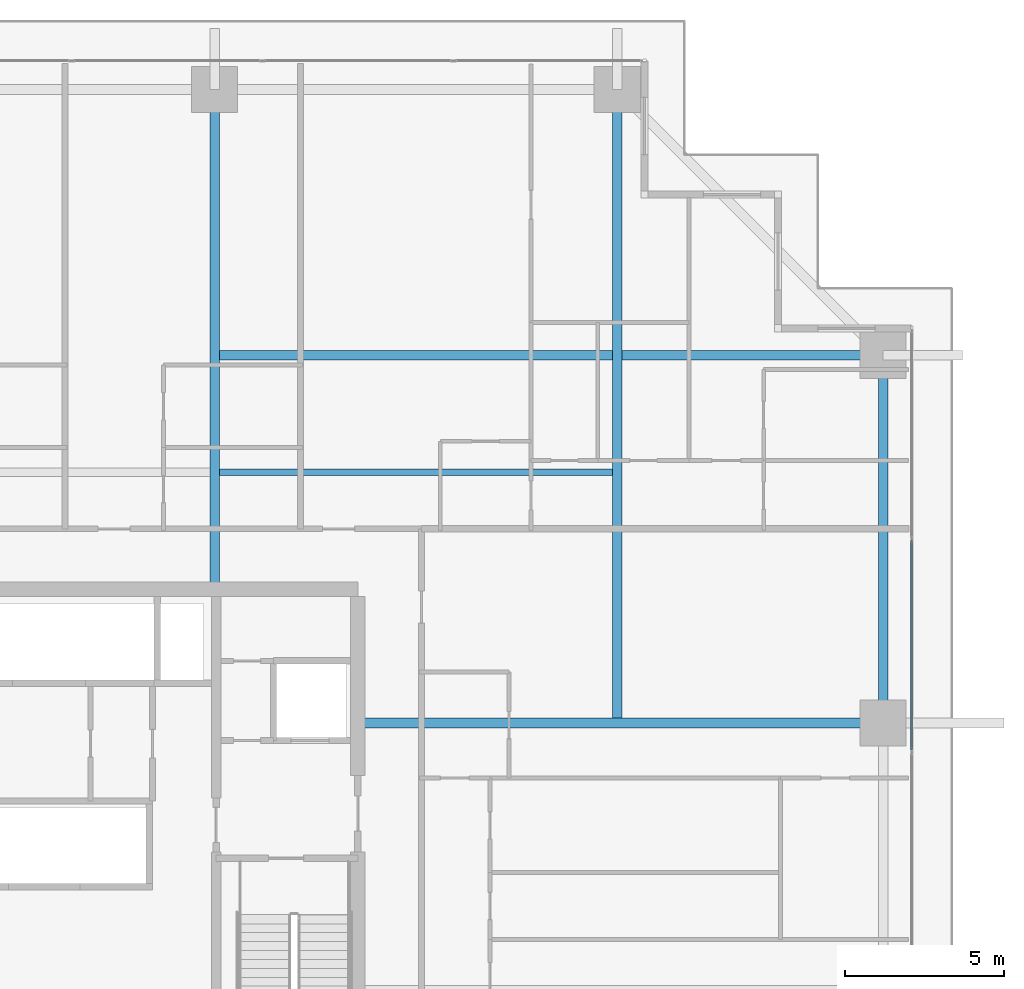
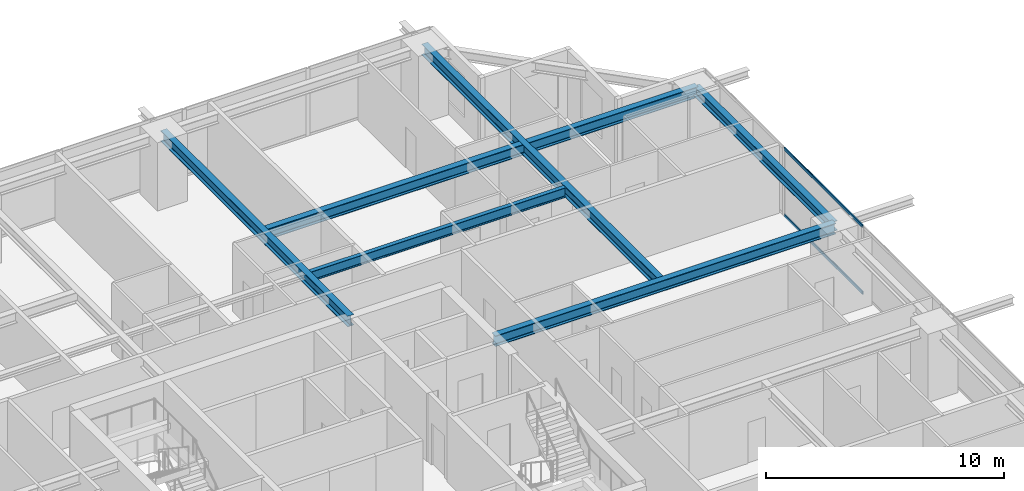
# One storey, part 22 of 41: 6 beams, 2 members, 1 element without a shape of its own.
"""IFC4 building model written with IfcOpenShell, lengths in metres."""

from ifc_helpers import new_model, si_unit, direction, frame, origin, origin_2d, place, context, subcontext, project, spatial, hollow_rectangle, i_section, extrude, source, transform, mapped, material, layer, layer_set, material_profile, profile_set, type_object, element, aggregate, save


model = new_model("IFC4")

# Units and contexts
model_context = context("Model", 3, precision=1e-05, world=origin(), true_north=direction((0.0, 1.0)))
body_context = subcontext(model_context, "Body", "Model", "MODEL_VIEW")
ifc_project = project(units=[si_unit("LENGTHUNIT", "METRE"), si_unit("AREAUNIT", "SQUARE_METRE"), si_unit("VOLUMEUNIT", "CUBIC_METRE"), si_unit("PLANEANGLEUNIT", "RADIAN"), si_unit("MASSUNIT", "GRAM", prefix="KILO")], contexts=[model_context])

# Site, building, storey
site_placement = place(None, origin())
site = spatial("IfcSite", under=ifc_project, at=site_placement, CompositionType="ELEMENT")
building_placement = place(site_placement, origin())
building = spatial("IfcBuilding", under=site, at=building_placement, Name="Serunith Strait Residences", CompositionType="ELEMENT")
storey_placement = place(building_placement, frame((0.0, 0.0, 45.449951171875)))
storey = spatial("IfcBuildingStorey", under=building, at=storey_placement, Name="L10", CompositionType="ELEMENT", Elevation=45.449951171875)

# Beams
ifc_material_1 = material(Name="Steel S355J2", Category="steel")
ifc_material_profile_1 = material_profile(ifc_material_1, i_section(OverallWidth=0.300048828125, OverallDepth=0.550048828125, WebThickness=0.014892578125, FlangeThickness=0.029052734375, FilletRadius=0.027099609375, at=origin_2d()), Name="HEB 550")
ifc_profile_set_1 = profile_set([ifc_material_profile_1], Name="Steel S355J2")
beam_type_1 = type_object("IfcBeamType", Name="BM-HEB550", PredefinedType="BEAM", material=ifc_profile_set_1)
shared_shape_1 = source(origin(), body_context, "Body", "SweptSolid", [
    extrude(i_section(OverallWidth=0.300048828125, OverallDepth=0.550048828125, WebThickness=0.014892578125, FlangeThickness=0.029052734375, FilletRadius=0.027099609375, at=origin_2d()), origin(), (0.0, 0.0, 1.0), 15.699951171875),
])
beam_1_placement = place(storey_placement, frame((36.89990234375, 33.60009765625, 3.212158203125), z_axis=(0.0, 1.0, 0.0), x_axis=(-1.0, 0.0, 0.0)))
element("IfcBeam", 1, at=beam_1_placement, inside=storey, type_object=beam_type_1, Name="L10 Primary Floor Girder TC-N3", PredefinedType="BEAM", context=body_context, shape_type="MappedRepresentation", body=[
    mapped(shared_shape_1, transform((0.0, 0.0, 0.0), scale=1.0)),
])
shared_shape_2 = source(origin(), body_context, "Body", "SweptSolid", [
    extrude(i_section(OverallWidth=0.300048828125, OverallDepth=0.550048828125, WebThickness=0.014892578125, FlangeThickness=0.029052734375, FilletRadius=0.027099609375, at=origin_2d()), origin(), (0.0, 0.0, 1.0), 16.5),
])
beam_2_placement = place(storey_placement, frame((41.39990234375, 29.39990234375, 3.212158203125), z_axis=(1.0, 0.0, 0.0), x_axis=(0.0, 1.0, 0.0)))
element("IfcBeam", 2, at=beam_2_placement, inside=storey, type_object=beam_type_1, Name="L10 Primary Floor Girder TC-E3", PredefinedType="BEAM", context=body_context, shape_type="MappedRepresentation", body=[
    mapped(shared_shape_2, transform((0.0, 0.0, 0.0), scale=1.0)),
])
shared_shape_3 = source(origin(), body_context, "Body", "SweptSolid", [
    extrude(i_section(OverallWidth=0.300048828125, OverallDepth=0.550048828125, WebThickness=0.014892578125, FlangeThickness=0.029052734375, FilletRadius=0.027099609375, at=origin_2d()), origin(), (0.0, 0.0, 1.0), 19.900146484375),
])
beam_3_placement = place(storey_placement, frame((49.550048828125, 29.39990234375, 3.212158203125), z_axis=(0.0, 1.0, 0.0), x_axis=(-1.0, 0.0, 0.0)))
element("IfcBeam", 3, at=beam_3_placement, inside=storey, type_object=beam_type_1, Name="L10 Orthogonal Corner Girder TC-N4", PredefinedType="BEAM", context=body_context, shape_type="MappedRepresentation", body=[
    mapped(shared_shape_3, transform((0.0, 0.0, 0.0), scale=1.0)),
])
shared_shape_4 = source(origin(), body_context, "Body", "SweptSolid", [
    extrude(i_section(OverallWidth=0.300048828125, OverallDepth=0.550048828125, WebThickness=0.014892578125, FlangeThickness=0.029052734375, FilletRadius=0.027099609375, at=origin_2d()), origin(), (0.0, 0.0, 1.0), 21.0),
])
beam_4_placement = place(storey_placement, frame((36.89990234375, 40.949951171875, 3.212158203125), z_axis=(1.0, 0.0, 0.0), x_axis=(0.0, 1.0, 0.0)))
element("IfcBeam", 4, at=beam_4_placement, inside=storey, type_object=beam_type_1, Name="L10 Orthogonal Corner Girder TC-E4", PredefinedType="BEAM", context=body_context, shape_type="MappedRepresentation", body=[
    mapped(shared_shape_4, transform((0.0, 0.0, 0.0), scale=1.0)),
])
ifc_material_profile_2 = material_profile(ifc_material_1, i_section(OverallWidth=0.300048828125, OverallDepth=0.5, WebThickness=0.014404296875, FlangeThickness=0.028076171875, FilletRadius=0.027099609375, at=origin_2d()), Name="HEB 500")
ifc_profile_set_2 = profile_set([ifc_material_profile_2], Name="Steel S355J2")
beam_type_2 = type_object("IfcBeamType", Name="BM-HEB500", PredefinedType="BEAM", material=ifc_profile_set_2)
shared_shape_5 = source(origin(), body_context, "Body", "SweptSolid", [
    extrude(i_section(OverallWidth=0.300048828125, OverallDepth=0.5, WebThickness=0.014404296875, FlangeThickness=0.028076171875, FilletRadius=0.027099609375, at=origin_2d()), origin(), (0.0, 0.0, 1.0), 11.550048828125),
])
beam_5_placement = place(storey_placement, frame((57.89990234375, 29.39990234375, 3.237060546875), z_axis=(0.0, 1.0, 0.0), x_axis=(-1.0, 0.0, 0.0)))
element("IfcBeam", 5, at=beam_5_placement, inside=storey, type_object=beam_type_2, Name="L10 Perimeter Ring Beam 07", PredefinedType="BEAM", context=body_context, shape_type="MappedRepresentation", body=[
    mapped(shared_shape_5, transform((0.0, 0.0, 0.0), scale=1.0)),
])
ifc_material_profile_3 = material_profile(ifc_material_1, i_section(OverallWidth=0.199951171875, OverallDepth=0.5, WebThickness=0.01025390625, FlangeThickness=0.01611328125, FilletRadius=0.02099609375, at=origin_2d()), Name="IPE 500")
ifc_profile_set_3 = profile_set([ifc_material_profile_3], Name="Steel S355J2")
beam_type_3 = type_object("IfcBeamType", Name="BM-IPE500", PredefinedType="JOIST", material=ifc_profile_set_3)
shared_shape_6 = source(origin(), body_context, "Body", "SweptSolid", [
    extrude(i_section(OverallWidth=0.199951171875, OverallDepth=0.5, WebThickness=0.01025390625, FlangeThickness=0.01611328125, FilletRadius=0.02099609375, at=origin_2d()), origin(), (0.0, 0.0, 1.0), 12.349853515625),
])
beam_6_placement = place(storey_placement, frame((37.050048828125, 37.27490234375, 3.237060546875), z_axis=(1.0, 0.0, 0.0), x_axis=(0.0, 1.0, 0.0)))
element("IfcBeam", 6, at=beam_6_placement, inside=storey, type_object=beam_type_3, Name="L10 Composite Floor Joist 06", PredefinedType="JOIST", context=body_context, shape_type="MappedRepresentation", body=[
    mapped(shared_shape_6, transform((0.0, 0.0, 0.0), scale=1.0)),
])

# Curtain wall, members
ifc_material_2 = material(Name="Pale-Champagne Anodised Aluminium", Category="aluminium")
ifc_layer = layer(ifc_material_2, 0.199951171875, Name="Pale-Champagne Anodised Aluminium")
ifc_layer_set = layer_set([ifc_layer], Name="Pale-Champagne Anodised Aluminium")
curtain_wall_type = type_object("IfcCurtainWallType", Name="CW-SYS1", PredefinedType="NOTDEFINED", material=ifc_layer_set)
curtain_wall_placement = place(storey_placement, origin())
curtain_wall = element("IfcCurtainWall", 7, at=curtain_wall_placement, inside=storey, type_object=curtain_wall_type, Name="L10 E Unitised Fritted Curtain Wall", PredefinedType="NOTDEFINED")
ifc_material_profile_4 = material_profile(ifc_material_2, hollow_rectangle(XDim=0.06005859375, YDim=0.159912109375, WallThickness=0.00341796875, InnerFilletRadius=0.00537109375, OuterFilletRadius=0.0087890625, at=origin_2d()), Name="ALU 160x60x3.5")
ifc_profile_set_4 = profile_set([ifc_material_profile_4], Name="Pale-Champagne Anodised Aluminium")
member_type = type_object("IfcMemberType", Name="CW-SYS1-TRAN", PredefinedType="USERDEFINED", material=ifc_profile_set_4)
shared_shape_7 = source(origin(), body_context, "Body", "SweptSolid", [
    extrude(hollow_rectangle(XDim=0.06005859375, YDim=0.159912109375, WallThickness=0.00341796875, InnerFilletRadius=0.00537109375, OuterFilletRadius=0.0087890625, at=origin_2d()), origin(), (0.0, 0.0, 1.0), 6.570068359375),
])
member_1_placement = place(storey_placement, frame((58.800048828125, 28.554931640625, 0.030029296875), z_axis=(0.0, 1.0, 0.0), x_axis=(-1.0, 0.0, 0.0)))
member_1 = element("IfcMember", 8, at=member_1_placement, type_object=member_type, Name="CW-1 transom 4.1", ObjectType="TRANSOM", PredefinedType="USERDEFINED", context=body_context, shape_type="MappedRepresentation", body=[
    mapped(shared_shape_7, transform((0.0, 0.0, 0.0), scale=1.0)),
])
member_2_placement = place(storey_placement, frame((58.800048828125, 28.554931640625, 3.445068359375), z_axis=(0.0, 1.0, 0.0), x_axis=(-1.0, 0.0, 0.0)))
member_2 = element("IfcMember", 9, at=member_2_placement, type_object=member_type, Name="CW-1 transom 4.2", ObjectType="TRANSOM", PredefinedType="USERDEFINED", context=body_context, shape_type="MappedRepresentation", body=[
    mapped(shared_shape_7, transform((0.0, 0.0, 0.0), scale=1.0)),
])
aggregate(curtain_wall, [member_1, member_2])

save(model, "model.ifc")
